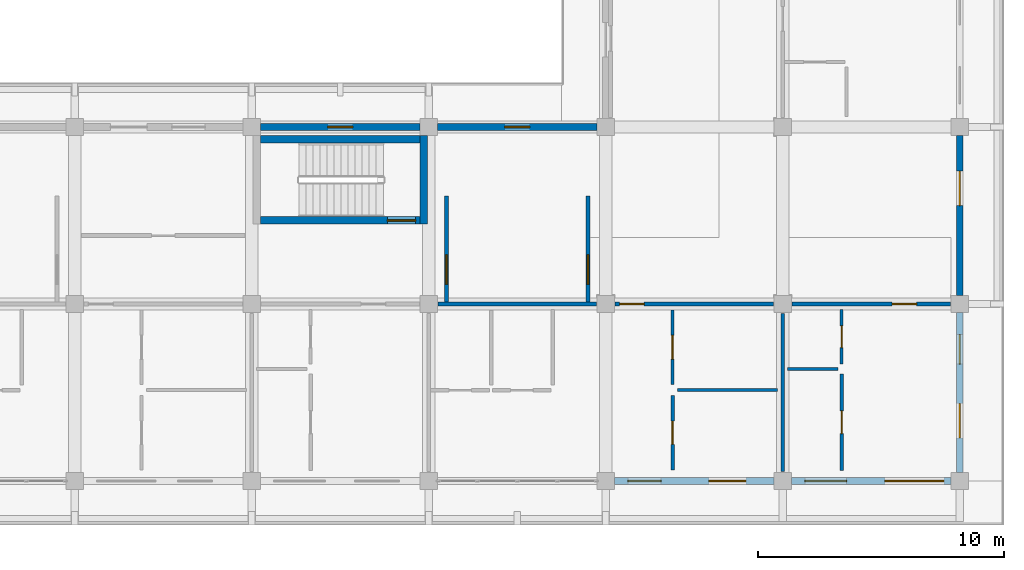
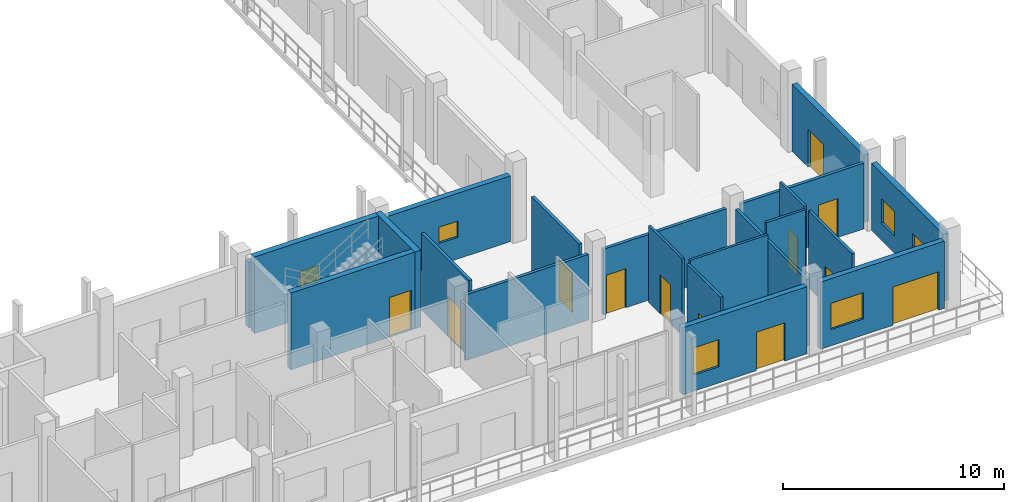
# One storey, part 83 of 110: 21 walls, 13 doors, 5 windows, 18 openings.
"""IFC4 building model written with IfcOpenShell, lengths in metres."""

from ifc_helpers import new_model, si_unit, direction, frame, frame_2d, origin, place, context, subcontext, project, spatial, rectangle, extrude, material, layer, layer_set, type_object, element, fill, save


model = new_model("IFC4")

# Units and contexts
model_context = context("Model", 3, precision=1e-05, world=origin(), true_north=direction((0.0, 1.0)))
body_context = subcontext(model_context, "Body", "Model", "MODEL_VIEW")
ifc_project = project(units=[si_unit("LENGTHUNIT", "METRE"), si_unit("AREAUNIT", "SQUARE_METRE"), si_unit("VOLUMEUNIT", "CUBIC_METRE"), si_unit("PLANEANGLEUNIT", "RADIAN"), si_unit("MASSUNIT", "GRAM", prefix="KILO")], contexts=[model_context])

# Site, building, storey
site_placement = place(None, origin())
site = spatial("IfcSite", under=ifc_project, at=site_placement, CompositionType="ELEMENT")
building_placement = place(site_placement, origin())
building = spatial("IfcBuilding", under=site, at=building_placement, Name="Suanplinth Sawtooth Commons", CompositionType="ELEMENT")
storey_placement = place(building_placement, frame((0.0, 0.0, 4.5)))
storey = spatial("IfcBuildingStorey", under=building, at=storey_placement, Name="L01", CompositionType="ELEMENT", Elevation=4.5)

# Wall, opening, door
ifc_material_1 = material(Name="Concrete C40/50", Category="concrete")
ifc_layer_1 = layer(ifc_material_1, 0.300048828125, Name="Standard RC stair and lift core wall 300mm")
ifc_layer_set_1 = layer_set([ifc_layer_1], Name="Concrete C40/50")
wall_type_1 = type_object("IfcWallType", Name="W-CR02", PredefinedType="SHEAR", material=ifc_layer_set_1)
wall_1_placement = place(storey_placement, frame((158.75, 10.60009765625, 0.0), z_axis=(0.0, 0.0, 1.0), x_axis=(1.0, 0.0, 0.0)))
wall_1 = element("IfcWall", 1, at=wall_1_placement, inside=storey, type_object=wall_type_1, Name="W-L01-C-C2-STS", PredefinedType="SHEAR", context=body_context, shape_type="SweptSolid", body=[
    extrude(rectangle(XDim=6.5, YDim=0.300048828125, at=frame_2d((3.25, 0.0))), origin(), (0.0, 0.0, 1.0), 4.25),
])
opening_1_placement = place(wall_1_placement, frame((5.169921875, 0.0, 0.0)))
opening_1 = element("IfcOpeningElement", 2, at=opening_1_placement, cuts=wall_1, Name="Opening FD0327", PredefinedType="OPENING", context=body_context, shape_type="SweptSolid", body=[
    extrude(rectangle(XDim=1.14990234375, YDim=2.199951171875, at=frame_2d((0.574951171875, 1.10009765625))), frame((0.0, 0.1650390625, 0.0), z_axis=(0.0, -1.0, 0.0), x_axis=(1.0, 0.0, 0.0)), (0.0, 0.0, 1.0), 0.329833984375),
])
ifc_material_2 = material(Name="Teak hardwood fire-rated door assembly", Category="wood")
door_type_1 = type_object("IfcDoorType", Name="FD-01", OperationType="NOTDEFINED", PredefinedType="DOOR", material=ifc_material_2)
door_1_placement = place(opening_1_placement, origin())
door_1 = element("IfcDoor", 3, at=door_1_placement, inside=storey, type_object=door_type_1, Name="Exit Stair Fire Door FD0327", OperationType="SINGLE_SWING_RIGHT", OverallHeight=2.199951171875, OverallWidth=1.14990234375, PredefinedType="DOOR", context=body_context, shape_type="SweptSolid", body=[
    extrude(rectangle(XDim=1.14990234375, YDim=2.199951171875, at=frame_2d((0.574951171875, 1.10009765625))), frame((0.0, 0.02490234375, 0.0), z_axis=(0.0, -1.0, 0.0), x_axis=(1.0, 0.0, 0.0)), (0.0, 0.0, 1.0), 0.050048828125),
])
fill(opening_1, door_1)

# Walls
wall_2_placement = place(storey_placement, frame((158.75, 13.89990234375, 0.0), z_axis=(0.0, 0.0, 1.0), x_axis=(1.0, 0.0, 0.0)))
element("IfcWall", 4, at=wall_2_placement, inside=storey, type_object=wall_type_1, Name="W-L01-C-C2-STN", PredefinedType="SHEAR", context=body_context, shape_type="SweptSolid", body=[
    extrude(rectangle(XDim=6.5, YDim=0.300048828125, at=frame_2d((3.25, 0.0))), origin(), (0.0, 0.0, 1.0), 4.25),
])
wall_3_placement = place(storey_placement, frame((165.39990234375, 10.449951171875, 0.0), z_axis=(0.0, 0.0, 1.0), x_axis=(0.0, 1.0, 0.0)))
element("IfcWall", 5, at=wall_3_placement, inside=storey, type_object=wall_type_1, Name="W-L01-C-C2-STE", PredefinedType="SHEAR", context=body_context, shape_type="SweptSolid", body=[
    extrude(rectangle(XDim=3.60009765625, YDim=0.300048828125, at=frame_2d((1.800048828125, 0.0))), origin(), (0.0, 0.0, 1.0), 4.25),
])

# Wall, opening, window
ifc_material_3 = material(Name="Precast concrete C40/50", Category="concrete")
ifc_layer_2 = layer(ifc_material_3, 0.280029296875, Name="Insulated precast architectural facade wall 280mm")
ifc_layer_set_2 = layer_set([ifc_layer_2], Name="Precast concrete C40/50")
wall_type_2 = type_object("IfcWallType", Name="W-EX01", PredefinedType="ELEMENTEDWALL", material=ifc_layer_set_2)
wall_4_placement = place(storey_placement, frame((158.75, 14.39990234375, 0.0), z_axis=(0.0, 0.0, 1.0), x_axis=(1.0, 0.0, 0.0)))
wall_4 = element("IfcWall", 6, at=wall_4_placement, inside=storey, type_object=wall_type_2, Name="Facade Wall W-L01-C-N-22-1", PredefinedType="ELEMENTEDWALL", context=body_context, shape_type="SweptSolid", body=[
    extrude(rectangle(XDim=6.5, YDim=0.280029296875, at=frame_2d((3.25, 0.0))), origin(), (0.0, 0.0, 1.0), 3.635009765625),
])
opening_2_placement = place(wall_4_placement, frame((2.75, 0.0, 1.199951171875)))
opening_2 = element("IfcOpeningElement", 7, at=opening_2_placement, cuts=wall_4, Name="Opening W0220", PredefinedType="OPENING", context=body_context, shape_type="SweptSolid", body=[
    extrude(rectangle(XDim=1.0, YDim=0.89990234375, at=frame_2d((0.5, 0.449951171875))), frame((0.0, 0.15478515625, 0.0), z_axis=(0.0, -1.0, 0.0), x_axis=(1.0, 0.0, 0.0)), (0.0, 0.0, 1.0), 0.309814453125),
])
ifc_material_4 = material(Name="Thermally broken aluminium and low-E double glazing", Category="aluminium")
window_type_1 = type_object("IfcWindowType", Name="WN-12", PartitioningType="SINGLE_PANEL", PredefinedType="WINDOW", material=ifc_material_4)
window_1_placement = place(opening_2_placement, origin())
window_1 = element("IfcWindow", 8, at=window_1_placement, inside=storey, type_object=window_type_1, Name="Core Daylight Window L01-C-22-1", OverallHeight=0.89990234375, OverallWidth=1.0, PartitioningType="SINGLE_PANEL", PredefinedType="WINDOW", context=body_context, shape_type="SweptSolid", body=[
    extrude(rectangle(XDim=1.0, YDim=0.89990234375, at=frame_2d((0.5, 0.449951171875))), frame((0.0, 0.030029296875, 0.0), z_axis=(0.0, -1.0, 0.0), x_axis=(1.0, 0.0, 0.0)), (0.0, 0.0, 1.0), 0.06005859375),
])
fill(opening_2, window_1)

wall_5_placement = place(storey_placement, frame((165.949951171875, 14.39990234375, 0.0), z_axis=(0.0, 0.0, 1.0), x_axis=(1.0, 0.0, 0.0)))
wall_5 = element("IfcWall", 9, at=wall_5_placement, inside=storey, type_object=wall_type_2, Name="Facade Wall W-L01-C-N-23-1", PredefinedType="ELEMENTEDWALL", context=body_context, shape_type="SweptSolid", body=[
    extrude(rectangle(XDim=6.5, YDim=0.280029296875, at=frame_2d((3.25, 0.0))), origin(), (0.0, 0.0, 1.0), 3.635009765625),
])
opening_3_placement = place(wall_5_placement, frame((2.75, 0.0, 1.199951171875)))
opening_3 = element("IfcOpeningElement", 10, at=opening_3_placement, cuts=wall_5, Name="Opening W0221", PredefinedType="OPENING", context=body_context, shape_type="SweptSolid", body=[
    extrude(rectangle(XDim=1.0, YDim=0.89990234375, at=frame_2d((0.5, 0.449951171875))), frame((0.0, 0.15478515625, 0.0), z_axis=(0.0, -1.0, 0.0), x_axis=(1.0, 0.0, 0.0)), (0.0, 0.0, 1.0), 0.309814453125),
])
window_2_placement = place(opening_3_placement, origin())
window_2 = element("IfcWindow", 11, at=window_2_placement, inside=storey, type_object=window_type_1, Name="Core Daylight Window L01-C-23-1", OverallHeight=0.89990234375, OverallWidth=1.0, PartitioningType="SINGLE_PANEL", PredefinedType="WINDOW", context=body_context, shape_type="SweptSolid", body=[
    extrude(rectangle(XDim=1.0, YDim=0.89990234375, at=frame_2d((0.5, 0.449951171875))), frame((0.0, 0.030029296875, 0.0), z_axis=(0.0, -1.0, 0.0), x_axis=(1.0, 0.0, 0.0)), (0.0, 0.0, 1.0), 0.06005859375),
])
fill(opening_3, window_2)

# Wall, openings, door, window
wall_6_placement = place(storey_placement, frame((173.14990234375, 0.0, 0.0), z_axis=(0.0, 0.0, 1.0), x_axis=(1.0, 0.0, 0.0)))
wall_6 = element("IfcWall", 12, at=wall_6_placement, inside=storey, type_object=wall_type_2, Name="Facade Wall W-L01-C-S-24-0", PredefinedType="ELEMENTEDWALL", context=body_context, shape_type="SweptSolid", body=[
    extrude(rectangle(XDim=6.5, YDim=0.280029296875, at=frame_2d((3.25, 0.0))), origin(), (0.0, 0.0, 1.0), 3.715087890625),
])
opening_4_placement = place(wall_6_placement, frame((3.85009765625, 0.0, 0.0)))
opening_4 = element("IfcOpeningElement", 13, at=opening_4_placement, cuts=wall_6, Name="Opening ED0096", PredefinedType="OPENING", context=body_context, shape_type="SweptSolid", body=[
    extrude(rectangle(XDim=1.5, YDim=2.1201171875, at=frame_2d((0.75, 1.06005859375))), frame((0.0, 0.15478515625, 0.0), z_axis=(0.0, -1.0, 0.0), x_axis=(1.0, 0.0, 0.0)), (0.0, 0.0, 1.0), 0.309814453125),
])
opening_5_placement = place(wall_6_placement, frame((0.550048828125, 0.0, 0.89990234375)))
opening_5 = element("IfcOpeningElement", 14, at=opening_5_placement, cuts=wall_6, Name="Opening W0222", PredefinedType="OPENING", context=body_context, shape_type="SweptSolid", body=[
    extrude(rectangle(XDim=1.35009765625, YDim=1.5, at=frame_2d((0.675048828125, 0.75))), frame((0.0, 0.15478515625, 0.0), z_axis=(0.0, -1.0, 0.0), x_axis=(1.0, 0.0, 0.0)), (0.0, 0.0, 1.0), 0.309814453125),
])
ifc_material_5 = material(Name="Anodized aluminium and low-E glass", Category="aluminium")
door_type_2 = type_object("IfcDoorType", Name="SD-03", OperationType="SLIDING_TO_LEFT", PredefinedType="DOOR", material=ifc_material_5)
door_2_placement = place(opening_4_placement, frame((1.5, 0.0, 0.0), z_axis=(0.0, 0.0, 1.0), x_axis=(-1.0, 0.0, 0.0)))
door_2 = element("IfcDoor", 15, at=door_2_placement, inside=storey, type_object=door_type_2, Name="Balcony Sliding Door L01-C-24", OperationType="SLIDING_TO_LEFT", OverallHeight=2.1201171875, OverallWidth=1.5, PredefinedType="DOOR", context=body_context, shape_type="SweptSolid", body=[
    extrude(rectangle(XDim=1.5, YDim=2.1201171875, at=frame_2d((0.75, 1.06005859375))), frame((0.0, 0.02490234375, 0.0), z_axis=(0.0, -1.0, 0.0), x_axis=(1.0, 0.0, 0.0)), (0.0, 0.0, 1.0), 0.050048828125),
])
fill(opening_4, door_2)
window_type_2 = type_object("IfcWindowType", Name="WN-14", PartitioningType="SINGLE_PANEL", PredefinedType="WINDOW", material=ifc_material_4)
window_3_placement = place(opening_5_placement, origin())
window_3 = element("IfcWindow", 16, at=window_3_placement, inside=storey, type_object=window_type_2, Name="Apartment Window L01-C-24", OverallHeight=1.5, OverallWidth=1.35009765625, PartitioningType="SINGLE_PANEL", PredefinedType="WINDOW", context=body_context, shape_type="SweptSolid", body=[
    extrude(rectangle(XDim=1.35009765625, YDim=1.5, at=frame_2d((0.675048828125, 0.75))), frame((0.0, 0.030029296875, 0.0), z_axis=(0.0, -1.0, 0.0), x_axis=(1.0, 0.0, 0.0)), (0.0, 0.0, 1.0), 0.06005859375),
])
fill(opening_5, window_3)

wall_7_placement = place(storey_placement, frame((180.35009765625, 0.0, 0.0), z_axis=(0.0, 0.0, 1.0), x_axis=(1.0, 0.0, 0.0)))
wall_7 = element("IfcWall", 17, at=wall_7_placement, inside=storey, type_object=wall_type_2, Name="Facade Wall W-L01-C-S-25-0", PredefinedType="ELEMENTEDWALL", context=body_context, shape_type="SweptSolid", body=[
    extrude(rectangle(XDim=6.5, YDim=0.280029296875, at=frame_2d((3.25, 0.0))), origin(), (0.0, 0.0, 1.0), 3.715087890625),
])
opening_6_placement = place(wall_7_placement, frame((3.800048828125, 0.0, 0.0)))
opening_6 = element("IfcOpeningElement", 18, at=opening_6_placement, cuts=wall_7, Name="Opening ED0101", PredefinedType="OPENING", context=body_context, shape_type="SweptSolid", body=[
    extrude(rectangle(XDim=2.39990234375, YDim=2.1201171875, at=frame_2d((1.199951171875, 1.06005859375))), frame((0.0, 0.15478515625, 0.0), z_axis=(0.0, -1.0, 0.0), x_axis=(1.0, 0.0, 0.0)), (0.0, 0.0, 1.0), 0.309814453125),
])
opening_7_placement = place(wall_7_placement, frame((0.550048828125, 0.0, 0.89990234375)))
opening_7 = element("IfcOpeningElement", 19, at=opening_7_placement, cuts=wall_7, Name="Opening W0224", PredefinedType="OPENING", context=body_context, shape_type="SweptSolid", body=[
    extrude(rectangle(XDim=1.699951171875, YDim=1.449951171875, at=frame_2d((0.85009765625, 0.72509765625))), frame((0.0, 0.15478515625, 0.0), z_axis=(0.0, -1.0, 0.0), x_axis=(1.0, 0.0, 0.0)), (0.0, 0.0, 1.0), 0.309814453125),
])
door_type_3 = type_object("IfcDoorType", Name="SD-04", OperationType="DOUBLE_DOOR_SLIDING", PredefinedType="DOOR", material=ifc_material_5)
door_3_placement = place(opening_6_placement, frame((2.39990234375, 0.0, 0.0), z_axis=(0.0, 0.0, 1.0), x_axis=(-1.0, 0.0, 0.0)))
door_3 = element("IfcDoor", 20, at=door_3_placement, inside=storey, type_object=door_type_3, Name="Balcony Sliding Door L01-C-25", OperationType="DOUBLE_DOOR_SLIDING", OverallHeight=2.1201171875, OverallWidth=2.39990234375, PredefinedType="DOOR", context=body_context, shape_type="SweptSolid", body=[
    extrude(rectangle(XDim=2.39990234375, YDim=2.1201171875, at=frame_2d((1.199951171875, 1.06005859375))), frame((0.0, 0.02490234375, 0.0), z_axis=(0.0, -1.0, 0.0), x_axis=(1.0, 0.0, 0.0)), (0.0, 0.0, 1.0), 0.050048828125),
])
fill(opening_6, door_3)
window_type_3 = type_object("IfcWindowType", Name="WN-15", PartitioningType="DOUBLE_PANEL_VERTICAL", PredefinedType="WINDOW", material=ifc_material_4)
window_4_placement = place(opening_7_placement, origin())
window_4 = element("IfcWindow", 21, at=window_4_placement, inside=storey, type_object=window_type_3, Name="Apartment Window L01-C-25", OverallHeight=1.449951171875, OverallWidth=1.699951171875, PartitioningType="DOUBLE_PANEL_VERTICAL", PredefinedType="WINDOW", context=body_context, shape_type="SweptSolid", body=[
    extrude(rectangle(XDim=1.699951171875, YDim=1.449951171875, at=frame_2d((0.85009765625, 0.72509765625))), frame((0.0, 0.030029296875, 0.0), z_axis=(0.0, -1.0, 0.0), x_axis=(1.0, 0.0, 0.0)), (0.0, 0.0, 1.0), 0.06005859375),
])
fill(opening_7, window_4)

wall_8_placement = place(storey_placement, frame((187.199951171875, 0.35009765625, 0.0), z_axis=(0.0, 0.0, 1.0), x_axis=(0.0, 1.0, 0.0)))
wall_8 = element("IfcWall", 22, at=wall_8_placement, inside=storey, type_object=wall_type_2, Name="Facade Wall W-L01-C-E-25-0", PredefinedType="ELEMENTEDWALL", context=body_context, shape_type="SweptSolid", body=[
    extrude(rectangle(XDim=6.5, YDim=0.280029296875, at=frame_2d((3.25, 0.0))), origin(), (0.0, 0.0, 1.0), 3.715087890625),
])
opening_8_placement = place(wall_8_placement, frame((1.39990234375, 0.0, 0.0)))
opening_8 = element("IfcOpeningElement", 23, at=opening_8_placement, cuts=wall_8, Name="Opening ED0102", PredefinedType="OPENING", context=body_context, shape_type="SweptSolid", body=[
    extrude(rectangle(XDim=1.39990234375, YDim=2.10009765625, at=frame_2d((0.699951171875, 1.050048828125))), frame((0.0, 0.15478515625, 0.0), z_axis=(0.0, -1.0, 0.0), x_axis=(1.0, 0.0, 0.0)), (0.0, 0.0, 1.0), 0.309814453125),
])
opening_9_placement = place(wall_8_placement, frame((4.39990234375, 0.0, 0.949951171875)))
opening_9 = element("IfcOpeningElement", 24, at=opening_9_placement, cuts=wall_8, Name="Opening W0225", PredefinedType="OPENING", context=body_context, shape_type="SweptSolid", body=[
    extrude(rectangle(XDim=1.199951171875, YDim=1.35009765625, at=frame_2d((0.60009765625, 0.675048828125))), frame((0.0, 0.15478515625, 0.0), z_axis=(0.0, -1.0, 0.0), x_axis=(1.0, 0.0, 0.0)), (0.0, 0.0, 1.0), 0.309814453125),
])
door_type_4 = type_object("IfcDoorType", Name="SD-07", OperationType="SLIDING_TO_RIGHT", PredefinedType="DOOR", material=ifc_material_5)
door_4_placement = place(opening_8_placement, frame((1.39990234375, 0.0, 0.0), z_axis=(0.0, 0.0, 1.0), x_axis=(-1.0, 0.0, 0.0)))
door_4 = element("IfcDoor", 25, at=door_4_placement, inside=storey, type_object=door_type_4, Name="End Balcony Sliding Door L01-C-E-25-0", OperationType="SLIDING_TO_RIGHT", OverallHeight=2.10009765625, OverallWidth=1.39990234375, PredefinedType="DOOR", context=body_context, shape_type="SweptSolid", body=[
    extrude(rectangle(XDim=1.39990234375, YDim=2.10009765625, at=frame_2d((0.699951171875, 1.050048828125))), frame((0.0, 0.02490234375, 0.0), z_axis=(0.0, -1.0, 0.0), x_axis=(1.0, 0.0, 0.0)), (0.0, 0.0, 1.0), 0.050048828125),
])
fill(opening_8, door_4)
window_type_4 = type_object("IfcWindowType", Name="WN-03", PartitioningType="SINGLE_PANEL", PredefinedType="WINDOW", material=ifc_material_4)
window_5_placement = place(opening_9_placement, origin())
window_5 = element("IfcWindow", 26, at=window_5_placement, inside=storey, type_object=window_type_4, Name="End Bedroom Window L01-C-25-0", OverallHeight=1.35009765625, OverallWidth=1.199951171875, PartitioningType="SINGLE_PANEL", PredefinedType="WINDOW", context=body_context, shape_type="SweptSolid", body=[
    extrude(rectangle(XDim=1.199951171875, YDim=1.35009765625, at=frame_2d((0.60009765625, 0.675048828125))), frame((0.0, 0.030029296875, 0.0), z_axis=(0.0, -1.0, 0.0), x_axis=(1.0, 0.0, 0.0)), (0.0, 0.0, 1.0), 0.06005859375),
])
fill(opening_9, window_5)

# Wall, opening, door
wall_9_placement = place(storey_placement, frame((187.199951171875, 7.550048828125, 0.0), z_axis=(0.0, 0.0, 1.0), x_axis=(0.0, 1.0, 0.0)))
wall_9 = element("IfcWall", 27, at=wall_9_placement, inside=storey, type_object=wall_type_2, Name="Facade Wall W-L01-C-E-25-1", PredefinedType="ELEMENTEDWALL", context=body_context, shape_type="SweptSolid", body=[
    extrude(rectangle(XDim=6.5, YDim=0.280029296875, at=frame_2d((3.25, 0.0))), origin(), (0.0, 0.0, 1.0), 3.715087890625),
])
opening_10_placement = place(wall_9_placement, frame((3.64990234375, 0.0, 0.0)))
opening_10 = element("IfcOpeningElement", 28, at=opening_10_placement, cuts=wall_9, Name="Opening ED0103", PredefinedType="OPENING", context=body_context, shape_type="SweptSolid", body=[
    extrude(rectangle(XDim=1.39990234375, YDim=2.10009765625, at=frame_2d((0.699951171875, 1.050048828125))), frame((0.0, 0.15478515625, 0.0), z_axis=(0.0, -1.0, 0.0), x_axis=(1.0, 0.0, 0.0)), (0.0, 0.0, 1.0), 0.309814453125),
])
door_5_placement = place(opening_10_placement, frame((1.39990234375, 0.0, 0.0), z_axis=(0.0, 0.0, 1.0), x_axis=(-1.0, 0.0, 0.0)))
door_5 = element("IfcDoor", 29, at=door_5_placement, inside=storey, type_object=door_type_4, Name="End Balcony Sliding Door L01-C-E-25-1", OperationType="SLIDING_TO_RIGHT", OverallHeight=2.10009765625, OverallWidth=1.39990234375, PredefinedType="DOOR", context=body_context, shape_type="SweptSolid", body=[
    extrude(rectangle(XDim=1.39990234375, YDim=2.10009765625, at=frame_2d((0.699951171875, 1.050048828125))), frame((0.0, 0.02490234375, 0.0), z_axis=(0.0, -1.0, 0.0), x_axis=(1.0, 0.0, 0.0)), (0.0, 0.0, 1.0), 0.050048828125),
])
fill(opening_10, door_5)

ifc_layer_3 = layer(ifc_material_3, 0.159912109375, Name="Fire-rated corridor and lobby wall 160mm")
ifc_layer_set_3 = layer_set([ifc_layer_3], Name="Precast concrete C40/50")
wall_type_3 = type_object("IfcWallType", Name="W-FW01", PredefinedType="PARTITIONING", material=ifc_layer_set_3)
wall_10_placement = place(storey_placement, frame((166.320068359375, 7.280029296875, 0.0), z_axis=(0.0, 0.0, 1.0), x_axis=(0.0, 1.0, 0.0)))
wall_10 = element("IfcWall", 30, at=wall_10_placement, inside=storey, type_object=wall_type_3, Name="W-L01-C-C2-LOB-W", PredefinedType="PARTITIONING", context=body_context, shape_type="SweptSolid", body=[
    extrude(rectangle(XDim=4.320068359375, YDim=0.159912109375, at=frame_2d((2.16015625, 0.0))), origin(), (0.0, 0.0, 1.0), 4.25),
])
opening_11_placement = place(wall_10_placement, frame((0.719970703125, 0.0, 0.0)))
opening_11 = element("IfcOpeningElement", 31, at=opening_11_placement, cuts=wall_10, Name="Opening FD0328", PredefinedType="OPENING", context=body_context, shape_type="SweptSolid", body=[
    extrude(rectangle(XDim=1.199951171875, YDim=2.199951171875, at=frame_2d((0.60009765625, 1.10009765625))), frame((0.0, 0.0947265625, 0.0), z_axis=(0.0, -1.0, 0.0), x_axis=(1.0, 0.0, 0.0)), (0.0, 0.0, 1.0), 0.189697265625),
])
door_type_5 = type_object("IfcDoorType", Name="FD-02", OperationType="NOTDEFINED", PredefinedType="DOOR", material=ifc_material_2)
door_6_placement = place(opening_11_placement, origin())
door_6 = element("IfcDoor", 32, at=door_6_placement, inside=storey, type_object=door_type_5, Name="Lobby Fire Door FD0328", OperationType="SINGLE_SWING_LEFT", OverallHeight=2.199951171875, OverallWidth=1.199951171875, PredefinedType="DOOR", context=body_context, shape_type="SweptSolid", body=[
    extrude(rectangle(XDim=1.199951171875, YDim=2.199951171875, at=frame_2d((0.60009765625, 1.10009765625))), frame((0.0, 0.02490234375, 0.0), z_axis=(0.0, -1.0, 0.0), x_axis=(1.0, 0.0, 0.0)), (0.0, 0.0, 1.0), 0.050048828125),
])
fill(opening_11, door_6)

wall_11_placement = place(storey_placement, frame((172.080078125, 7.280029296875, 0.0), z_axis=(0.0, 0.0, 1.0), x_axis=(0.0, 1.0, 0.0)))
wall_11 = element("IfcWall", 33, at=wall_11_placement, inside=storey, type_object=wall_type_3, Name="W-L01-C-C2-LOB-E", PredefinedType="PARTITIONING", context=body_context, shape_type="SweptSolid", body=[
    extrude(rectangle(XDim=4.320068359375, YDim=0.159912109375, at=frame_2d((2.16015625, 0.0))), origin(), (0.0, 0.0, 1.0), 4.25),
])
opening_12_placement = place(wall_11_placement, frame((0.719970703125, 0.0, 0.0)))
opening_12 = element("IfcOpeningElement", 34, at=opening_12_placement, cuts=wall_11, Name="Opening FD0329", PredefinedType="OPENING", context=body_context, shape_type="SweptSolid", body=[
    extrude(rectangle(XDim=1.199951171875, YDim=2.199951171875, at=frame_2d((0.60009765625, 1.10009765625))), frame((0.0, 0.0947265625, 0.0), z_axis=(0.0, -1.0, 0.0), x_axis=(1.0, 0.0, 0.0)), (0.0, 0.0, 1.0), 0.189697265625),
])
door_7_placement = place(opening_12_placement, frame((1.199951171875, 0.0, 0.0), z_axis=(0.0, 0.0, 1.0), x_axis=(-1.0, 0.0, 0.0)))
door_7 = element("IfcDoor", 35, at=door_7_placement, inside=storey, type_object=door_type_5, Name="Lobby Fire Door FD0329", OperationType="SINGLE_SWING_RIGHT", OverallHeight=2.199951171875, OverallWidth=1.199951171875, PredefinedType="DOOR", context=body_context, shape_type="SweptSolid", body=[
    extrude(rectangle(XDim=1.199951171875, YDim=2.199951171875, at=frame_2d((0.60009765625, 1.10009765625))), frame((0.0, 0.02490234375, 0.0), z_axis=(0.0, -1.0, 0.0), x_axis=(1.0, 0.0, 0.0)), (0.0, 0.0, 1.0), 0.050048828125),
])
fill(opening_12, door_7)

# Wall
wall_12_placement = place(storey_placement, frame((165.97998046875, 7.199951171875, 0.0), z_axis=(0.0, 0.0, 1.0), x_axis=(1.0, 0.0, 0.0)))
element("IfcWall", 36, at=wall_12_placement, inside=storey, type_object=wall_type_3, Name="W-C-L01-U05-COR-S1", PredefinedType="PARTITIONING", context=body_context, shape_type="SweptSolid", body=[
    extrude(rectangle(XDim=6.43994140625, YDim=0.159912109375, at=frame_2d((3.219970703125, 0.0))), origin(), (0.0, 0.0, 1.0), 3.635009765625),
])

# Wall, opening, door
wall_13_placement = place(storey_placement, frame((173.179931640625, 7.199951171875, 0.0), z_axis=(0.0, 0.0, 1.0), x_axis=(1.0, 0.0, 0.0)))
wall_13 = element("IfcWall", 37, at=wall_13_placement, inside=storey, type_object=wall_type_3, Name="W-C-L01-U05-COR-S2", PredefinedType="PARTITIONING", context=body_context, shape_type="SweptSolid", body=[
    extrude(rectangle(XDim=6.440185546875, YDim=0.159912109375, at=frame_2d((3.22021484375, 0.0))), origin(), (0.0, 0.0, 1.0), 3.635009765625),
])
opening_13_placement = place(wall_13_placement, frame((0.179931640625, 0.0, 0.0)))
opening_13 = element("IfcOpeningElement", 38, at=opening_13_placement, cuts=wall_13, Name="Opening FD0628", PredefinedType="OPENING", context=body_context, shape_type="SweptSolid", body=[
    extrude(rectangle(XDim=1.0, YDim=2.14990234375, at=frame_2d((0.5, 1.074951171875))), frame((0.0, 0.0947265625, 0.0), z_axis=(0.0, -1.0, 0.0), x_axis=(1.0, 0.0, 0.0)), (0.0, 0.0, 1.0), 0.189697265625),
])
door_type_6 = type_object("IfcDoorType", Name="FD-03", OperationType="NOTDEFINED", PredefinedType="DOOR", material=ifc_material_2)
door_8_placement = place(opening_13_placement, frame((1.0, 0.0, 0.0), z_axis=(0.0, 0.0, 1.0), x_axis=(-1.0, 0.0, 0.0)))
door_8 = element("IfcDoor", 39, at=door_8_placement, inside=storey, type_object=door_type_6, Name="Unit Entrance Door FD0628", OperationType="SINGLE_SWING_RIGHT", OverallHeight=2.14990234375, OverallWidth=1.0, PredefinedType="DOOR", context=body_context, shape_type="SweptSolid", body=[
    extrude(rectangle(XDim=1.0, YDim=2.14990234375, at=frame_2d((0.5, 1.074951171875))), frame((0.0, 0.02490234375, 0.0), z_axis=(0.0, -1.0, 0.0), x_axis=(1.0, 0.0, 0.0)), (0.0, 0.0, 1.0), 0.050048828125),
])
fill(opening_13, door_8)

wall_14_placement = place(storey_placement, frame((180.3798828125, 7.199951171875, 0.0), z_axis=(0.0, 0.0, 1.0), x_axis=(1.0, 0.0, 0.0)))
wall_14 = element("IfcWall", 40, at=wall_14_placement, inside=storey, type_object=wall_type_3, Name="W-C-L01-U06-COR", PredefinedType="PARTITIONING", context=body_context, shape_type="SweptSolid", body=[
    extrude(rectangle(XDim=6.440185546875, YDim=0.159912109375, at=frame_2d((3.22021484375, 0.0))), origin(), (0.0, 0.0, 1.0), 3.635009765625),
])
opening_14_placement = place(wall_14_placement, frame((4.070068359375, 0.0, 0.0)))
opening_14 = element("IfcOpeningElement", 41, at=opening_14_placement, cuts=wall_14, Name="Opening FD0633", PredefinedType="OPENING", context=body_context, shape_type="SweptSolid", body=[
    extrude(rectangle(XDim=1.0, YDim=2.14990234375, at=frame_2d((0.5, 1.074951171875))), frame((0.0, 0.0947265625, 0.0), z_axis=(0.0, -1.0, 0.0), x_axis=(1.0, 0.0, 0.0)), (0.0, 0.0, 1.0), 0.189697265625),
])
door_9_placement = place(opening_14_placement, frame((1.0, 0.0, 0.0), z_axis=(0.0, 0.0, 1.0), x_axis=(-1.0, 0.0, 0.0)))
door_9 = element("IfcDoor", 42, at=door_9_placement, inside=storey, type_object=door_type_6, Name="Unit Entrance Door FD0633", OperationType="SINGLE_SWING_LEFT", OverallHeight=2.14990234375, OverallWidth=1.0, PredefinedType="DOOR", context=body_context, shape_type="SweptSolid", body=[
    extrude(rectangle(XDim=1.0, YDim=2.14990234375, at=frame_2d((0.5, 1.074951171875))), frame((0.0, 0.02490234375, 0.0), z_axis=(0.0, -1.0, 0.0), x_axis=(1.0, 0.0, 0.0)), (0.0, 0.0, 1.0), 0.050048828125),
])
fill(opening_14, door_9)

# Wall
ifc_layer_4 = layer(ifc_material_3, 0.14990234375, Name="Acoustic precast party demising wall 150mm")
ifc_layer_set_4 = layer_set([ifc_layer_4], Name="Precast concrete C40/50")
wall_type_4 = type_object("IfcWallType", Name="W-FW02", PredefinedType="PARTITIONING", material=ifc_layer_set_4)
wall_15_placement = place(storey_placement, frame((180.0, 0.3798828125, 0.0), z_axis=(0.0, 0.0, 1.0), x_axis=(0.0, 1.0, 0.0)))
element("IfcWall", 43, at=wall_15_placement, inside=storey, type_object=wall_type_4, Name="W-C-L01-U05-PTY", PredefinedType="PARTITIONING", context=body_context, shape_type="SweptSolid", body=[
    extrude(rectangle(XDim=6.440185546875, YDim=0.14990234375, at=frame_2d((3.22021484375, 0.0))), origin(), (0.0, 0.0, 1.0), 3.68505859375),
])

# Wall, opening, door
ifc_material_6 = material(Name="Gypsum plasterboard on steel stud", Category="steel")
ifc_layer_5 = layer(ifc_material_6, 0.139892578125, Name="Fire-rated kitchen partition 140mm")
ifc_layer_set_5 = layer_set([ifc_layer_5], Name="Gypsum plasterboard on steel stud")
wall_type_5 = type_object("IfcWallType", Name="W-PT01", PredefinedType="PARTITIONING", material=ifc_layer_set_5)
wall_16_placement = place(storey_placement, frame((182.39501953125, 0.419921875, 0.0), z_axis=(0.0, 0.0, 1.0), x_axis=(0.0, 1.0, 0.0)))
wall_16 = element("IfcWall", 44, at=wall_16_placement, inside=storey, type_object=wall_type_5, Name="W-C-L01-U06-KITE", PredefinedType="PARTITIONING", context=body_context, shape_type="SweptSolid", body=[
    extrude(rectangle(XDim=3.940185546875, YDim=0.139892578125, at=frame_2d((1.97021484375, 0.0))), origin(), (0.0, 0.0, 1.0), 4.25),
])
opening_15_placement = place(wall_16_placement, frame((1.510009765625, 0.0, 0.0)))
opening_15 = element("IfcOpeningElement", 45, at=opening_15_placement, cuts=wall_16, Name="Opening D0635", PredefinedType="OPENING", context=body_context, shape_type="SweptSolid", body=[
    extrude(rectangle(XDim=0.919921875, YDim=2.10009765625, at=frame_2d((0.4599609375, 1.050048828125))), frame((0.0, 0.0849609375, 0.0), z_axis=(0.0, -1.0, 0.0), x_axis=(1.0, 0.0, 0.0)), (0.0, 0.0, 1.0), 0.169677734375),
])
ifc_material_7 = material(Name="Teak hardwood", Category="wood")
door_type_7 = type_object("IfcDoorType", Name="D-02", OperationType="NOTDEFINED", PredefinedType="DOOR", material=ifc_material_7)
door_10_placement = place(opening_15_placement, origin())
door_10 = element("IfcDoor", 46, at=door_10_placement, inside=storey, type_object=door_type_7, Name="Kitchen Door D0635", OperationType="SINGLE_SWING_LEFT", OverallHeight=2.10009765625, OverallWidth=0.919921875, PredefinedType="DOOR", context=body_context, shape_type="SweptSolid", body=[
    extrude(rectangle(XDim=0.919921875, YDim=2.10009765625, at=frame_2d((0.4599609375, 1.050048828125))), frame((0.0, 0.02490234375, 0.0), z_axis=(0.0, -1.0, 0.0), x_axis=(1.0, 0.0, 0.0)), (0.0, 0.0, 1.0), 0.050048828125),
])
fill(opening_15, door_10)

# Wall
ifc_layer_6 = layer(ifc_material_6, 0.1298828125, Name="Moisture-resistant bathroom partition 130mm")
ifc_layer_set_6 = layer_set([ifc_layer_6], Name="Gypsum plasterboard on steel stud")
wall_type_6 = type_object("IfcWallType", Name="W-PT02", PredefinedType="PARTITIONING", material=ifc_layer_set_6)
wall_17_placement = place(storey_placement, frame((180.199951171875, 4.56005859375, 0.0), z_axis=(0.0, 0.0, 1.0), x_axis=(1.0, 0.0, 0.0)))
element("IfcWall", 47, at=wall_17_placement, inside=storey, type_object=wall_type_6, Name="W-C-L01-U06-STDIV", PredefinedType="PARTITIONING", context=body_context, shape_type="SweptSolid", body=[
    extrude(rectangle(XDim=2.050048828125, YDim=0.1298828125, at=frame_2d((1.02490234375, 0.0))), origin(), (0.0, 0.0, 1.0), 4.25),
])

# Wall, opening, door
wall_18_placement = place(storey_placement, frame((182.39501953125, 4.760009765625, 0.0), z_axis=(0.0, 0.0, 1.0), x_axis=(0.0, 1.0, 0.0)))
wall_18 = element("IfcWall", 48, at=wall_18_placement, inside=storey, type_object=wall_type_6, Name="W-C-L01-U06-BTHE", PredefinedType="PARTITIONING", context=body_context, shape_type="SweptSolid", body=[
    extrude(rectangle(XDim=2.219970703125, YDim=0.1298828125, at=frame_2d((1.10986328125, 0.0))), origin(), (0.0, 0.0, 1.0), 4.25),
])
opening_16_placement = place(wall_18_placement, frame((0.669921875, 0.0, 0.0)))
opening_16 = element("IfcOpeningElement", 49, at=opening_16_placement, cuts=wall_18, Name="Opening D0634", PredefinedType="OPENING", context=body_context, shape_type="SweptSolid", body=[
    extrude(rectangle(XDim=0.8798828125, YDim=2.10009765625, at=frame_2d((0.43994140625, 1.050048828125))), frame((0.0, 0.079833984375, 0.0), z_axis=(0.0, -1.0, 0.0), x_axis=(1.0, 0.0, 0.0)), (0.0, 0.0, 1.0), 0.15966796875),
])
door_type_8 = type_object("IfcDoorType", Name="D-14", OperationType="NOTDEFINED", PredefinedType="DOOR", material=ifc_material_7)
door_11_placement = place(opening_16_placement, origin())
door_11 = element("IfcDoor", 50, at=door_11_placement, inside=storey, type_object=door_type_8, Name="Bathroom Door D0634", OperationType="SINGLE_SWING_RIGHT", OverallHeight=2.10009765625, OverallWidth=0.8798828125, PredefinedType="DOOR", context=body_context, shape_type="SweptSolid", body=[
    extrude(rectangle(XDim=0.8798828125, YDim=2.10009765625, at=frame_2d((0.43994140625, 1.050048828125))), frame((0.0, 0.02490234375, 0.0), z_axis=(0.0, -1.0, 0.0), x_axis=(1.0, 0.0, 0.0)), (0.0, 0.0, 1.0), 0.050048828125),
])
fill(opening_16, door_11)

ifc_layer_7 = layer(ifc_material_6, 0.1201171875, Name="Acoustic bedroom partition 120mm")
ifc_layer_set_7 = layer_set([ifc_layer_7], Name="Gypsum plasterboard on steel stud")
wall_type_7 = type_object("IfcWallType", Name="W-PT03", PredefinedType="PARTITIONING", material=ifc_layer_set_7)
wall_19_placement = place(storey_placement, frame((175.52001953125, 3.919921875, 0.0), z_axis=(0.0, 0.0, 1.0), x_axis=(0.0, 1.0, 0.0)))
wall_19 = element("IfcWall", 51, at=wall_19_placement, inside=storey, type_object=wall_type_7, Name="W-C-L01-U05-BED2", PredefinedType="PARTITIONING", context=body_context, shape_type="SweptSolid", body=[
    extrude(rectangle(XDim=3.0400390625, YDim=0.1201171875, at=frame_2d((1.52001953125, 0.0))), origin(), (0.0, 0.0, 1.0), 4.25),
])
opening_17_placement = place(wall_19_placement, frame((1.0400390625, 0.0, 0.0)))
opening_17 = element("IfcOpeningElement", 52, at=opening_17_placement, cuts=wall_19, Name="Opening D0632", PredefinedType="OPENING", context=body_context, shape_type="SweptSolid", body=[
    extrude(rectangle(XDim=0.9599609375, YDim=2.14990234375, at=frame_2d((0.47998046875, 1.074951171875))), frame((0.0, 0.074951171875, 0.0), z_axis=(0.0, -1.0, 0.0), x_axis=(1.0, 0.0, 0.0)), (0.0, 0.0, 1.0), 0.14990234375),
])
door_type_9 = type_object("IfcDoorType", Name="D-13", OperationType="NOTDEFINED", PredefinedType="DOOR", material=ifc_material_7)
door_12_placement = place(opening_17_placement, frame((0.9599609375, 0.0, 0.0), z_axis=(0.0, 0.0, 1.0), x_axis=(-1.0, 0.0, 0.0)))
door_12 = element("IfcDoor", 53, at=door_12_placement, inside=storey, type_object=door_type_9, Name="Second Bedroom Door D0632", OperationType="SINGLE_SWING_RIGHT", OverallHeight=2.14990234375, OverallWidth=0.9599609375, PredefinedType="DOOR", context=body_context, shape_type="SweptSolid", body=[
    extrude(rectangle(XDim=0.9599609375, YDim=2.14990234375, at=frame_2d((0.47998046875, 1.074951171875))), frame((0.0, 0.02490234375, 0.0), z_axis=(0.0, -1.0, 0.0), x_axis=(1.0, 0.0, 0.0)), (0.0, 0.0, 1.0), 0.050048828125),
])
fill(opening_17, door_12)

# Wall
ifc_layer_8 = layer(ifc_material_6, 0.125, Name="Acoustic study partition 125mm")
ifc_layer_set_8 = layer_set([ifc_layer_8], Name="Gypsum plasterboard on steel stud")
wall_type_8 = type_object("IfcWallType", Name="W-PT06", PredefinedType="PARTITIONING", material=ifc_layer_set_8)
wall_20_placement = place(storey_placement, frame((175.719970703125, 3.699951171875, 0.0), z_axis=(0.0, 0.0, 1.0), x_axis=(1.0, 0.0, 0.0)))
element("IfcWall", 54, at=wall_20_placement, inside=storey, type_object=wall_type_8, Name="W-C-L01-U05-BEDDIV", PredefinedType="PARTITIONING", context=body_context, shape_type="SweptSolid", body=[
    extrude(rectangle(XDim=4.06005859375, YDim=0.125, at=frame_2d((2.030029296875, 0.0))), origin(), (0.0, 0.0, 1.0), 4.25),
])

# Wall, opening, door
ifc_layer_9 = layer(ifc_material_6, 0.135009765625, Name="Insulated bedroom demising partition 135mm")
ifc_layer_set_9 = layer_set([ifc_layer_9], Name="Gypsum plasterboard on steel stud")
wall_type_9 = type_object("IfcWallType", Name="W-PT07", PredefinedType="PARTITIONING", material=ifc_layer_set_9)
wall_21_placement = place(storey_placement, frame((175.52001953125, 0.43994140625, 0.0), z_axis=(0.0, 0.0, 1.0), x_axis=(0.0, 1.0, 0.0)))
wall_21 = element("IfcWall", 55, at=wall_21_placement, inside=storey, type_object=wall_type_9, Name="W-C-L01-U05-BED1", PredefinedType="PARTITIONING", context=body_context, shape_type="SweptSolid", body=[
    extrude(rectangle(XDim=3.0400390625, YDim=0.135009765625, at=frame_2d((1.52001953125, 0.0))), origin(), (0.0, 0.0, 1.0), 4.25),
])
opening_18_placement = place(wall_21_placement, frame((1.044921875, 0.0, 0.0)))
opening_18 = element("IfcOpeningElement", 56, at=opening_18_placement, cuts=wall_21, Name="Opening D0631", PredefinedType="OPENING", context=body_context, shape_type="SweptSolid", body=[
    extrude(rectangle(XDim=0.949951171875, YDim=2.14990234375, at=frame_2d((0.47509765625, 1.074951171875))), frame((0.0, 0.08251953125, 0.0), z_axis=(0.0, -1.0, 0.0), x_axis=(1.0, 0.0, 0.0)), (0.0, 0.0, 1.0), 0.164794921875),
])
door_type_10 = type_object("IfcDoorType", Name="D-03", OperationType="NOTDEFINED", PredefinedType="DOOR", material=ifc_material_7)
door_13_placement = place(opening_18_placement, frame((0.949951171875, 0.0, 0.0), z_axis=(0.0, 0.0, 1.0), x_axis=(-1.0, 0.0, 0.0)))
door_13 = element("IfcDoor", 57, at=door_13_placement, inside=storey, type_object=door_type_10, Name="Bedroom Door D0631", OperationType="SINGLE_SWING_LEFT", OverallHeight=2.14990234375, OverallWidth=0.949951171875, PredefinedType="DOOR", context=body_context, shape_type="SweptSolid", body=[
    extrude(rectangle(XDim=0.949951171875, YDim=2.14990234375, at=frame_2d((0.47509765625, 1.074951171875))), frame((0.0, 0.02490234375, 0.0), z_axis=(0.0, -1.0, 0.0), x_axis=(1.0, 0.0, 0.0)), (0.0, 0.0, 1.0), 0.050048828125),
])
fill(opening_18, door_13)

save(model, "model.ifc")
